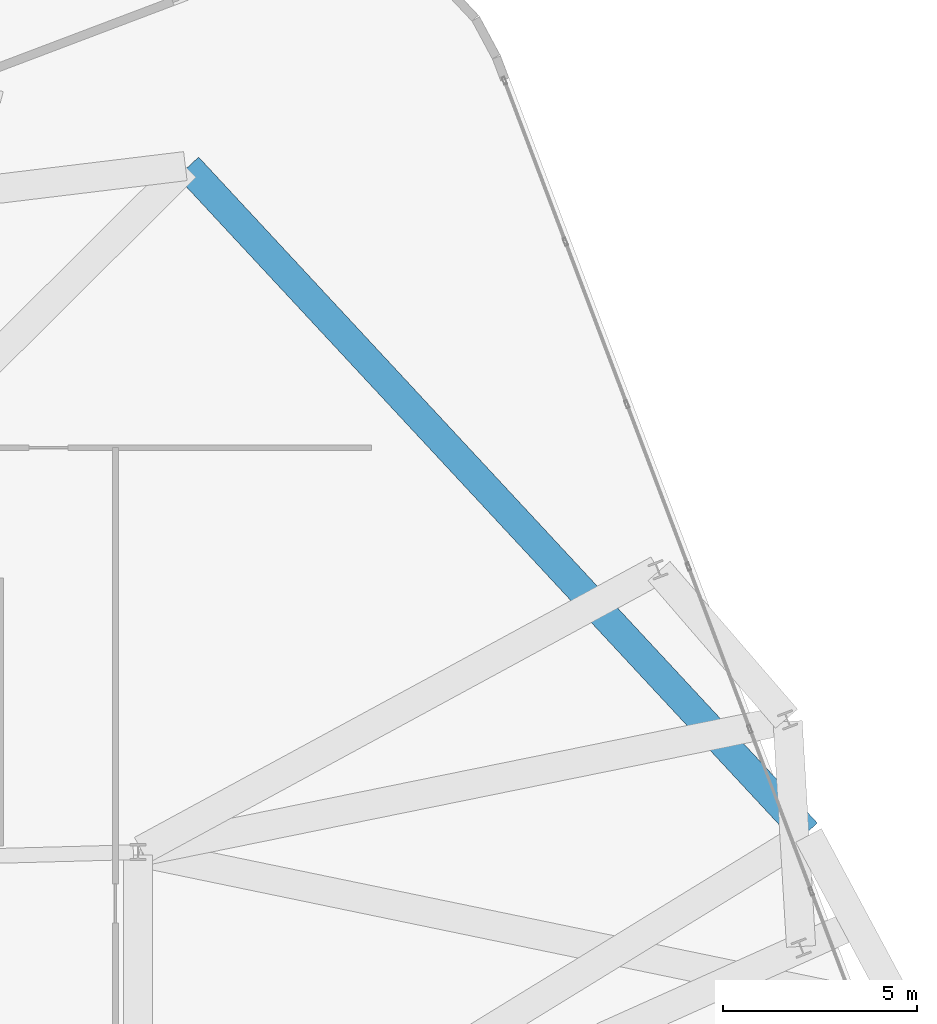
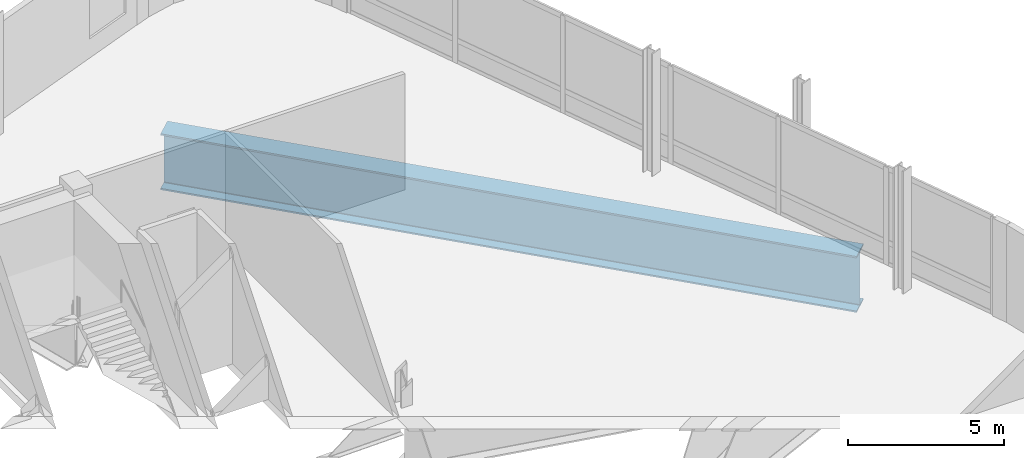
# One storey, part 9 of 19: 1 beam.
"""IFC4 building model written with IfcOpenShell, lengths in metres."""

import ifcopenshell
import ifcopenshell.guid

model = None  # the IFC model being written
_history = None  # IfcOwnerHistory: only IFC2X3 demands one
_inside = {}  # id of a spatial element -> (the spatial element, [elements in it])
_under = {}  # id of a project, library or spatial element -> (it, [spatial elements below it])
_declared = {}  # id of a project -> (the project, [libraries it declares])
_typed = {}  # id of a type object -> (the type object, [elements of that type])
_made_of = {}  # id of a material, layer set ... -> (it, [elements and type objects made of it])


def new_model(schema):
    """Start an empty IFC model of exactly this schema.

    Asked for "IFC4X3", IfcOpenShell would pick the latest addendum, in which some entities
    have other attributes; the version numbers below select the first issue.
    IFC2X3 requires an IfcOwnerHistory on every rooted entity: one is made here for all.
    """
    global model, _history
    if schema == "IFC4X3":
        model = ifcopenshell.file(schema_version=(4, 3, 0, 0))
    else:
        model = ifcopenshell.file(schema=schema)
    _inside.clear()
    _under.clear()
    _declared.clear()
    _typed.clear()
    _made_of.clear()
    _history = None
    if model.schema == "IFC2X3":
        org = make("IfcOrganization", Name="unknown")
        user = make(
            "IfcPersonAndOrganization",
            ThePerson=make("IfcPerson", FamilyName="unknown"),
            TheOrganization=org,
        )
        app = make(
            "IfcApplication",
            ApplicationDeveloper=org,
            Version="unknown",
            ApplicationFullName="unknown",
            ApplicationIdentifier="unknown",
        )
        _history = make(
            "IfcOwnerHistory",
            OwningUser=user,
            OwningApplication=app,
            ChangeAction="ADDED",
            CreationDate=0,
        )
    return model


def make(cls, **values):
    """One entity of the class cls with the attributes given. An attribute that is None is left unset."""
    return model.create_entity(
        cls, **{name: value for name, value in values.items() if value is not None}
    )


def rooted(cls, **values):
    """An entity with a GlobalId (a new one), such as an element, a storey or a relation."""
    return make(cls, GlobalId=ifcopenshell.guid.new(), OwnerHistory=_history, **values)


def si_unit(unit_type, name, prefix=None):
    """IfcSIUnit, for example si_unit("LENGTHUNIT", "METRE", prefix="MILLI")."""
    return make("IfcSIUnit", UnitType=unit_type, Prefix=prefix, Name=name)


def assignment(units):
    """IfcUnitAssignment: the units of a project."""
    return None if units is None else make("IfcUnitAssignment", Units=units)


def point(xyz):
    """IfcCartesianPoint."""
    return None if xyz is None else make("IfcCartesianPoint", Coordinates=xyz)


def direction(xyz):
    """IfcDirection."""
    return None if xyz is None else make("IfcDirection", DirectionRatios=xyz)


def frame(location, z_axis=None, x_axis=None):
    """IfcAxis2Placement3D, a coordinate frame: its origin and axes. An axis left out is left unset."""
    return make(
        "IfcAxis2Placement3D",
        Location=point(location),
        Axis=direction(z_axis),
        RefDirection=direction(x_axis),
    )


def frame_2d(location, x_axis=None):
    """IfcAxis2Placement2D, a coordinate frame in the plane: its origin and x axis."""
    return make(
        "IfcAxis2Placement2D", Location=point(location), RefDirection=direction(x_axis)
    )


def origin():
    """The frame at (0, 0, 0) with its axes left unset."""
    return frame((0.0, 0.0, 0.0))


def origin_2d():
    """The frame at (0, 0) in the plane with its x axis left unset."""
    return frame_2d((0.0, 0.0))


def place(relative_to, where):
    """IfcLocalPlacement: puts the frame where relative to a parent placement (None: the world)."""
    return make(
        "IfcLocalPlacement", PlacementRelTo=relative_to, RelativePlacement=where
    )


def context(
    kind, dimensions, precision=None, world=None, true_north=None, identifier=None
):
    """IfcGeometricRepresentationContext, for example the 3D "Model" context."""
    return make(
        "IfcGeometricRepresentationContext",
        ContextIdentifier=identifier,
        ContextType=kind,
        CoordinateSpaceDimension=dimensions,
        Precision=precision,
        WorldCoordinateSystem=world,
        TrueNorth=true_north,
    )


def subcontext(parent, identifier, kind, view, scale=None):
    """IfcGeometricRepresentationSubContext, for example "Body" below "Model"."""
    return make(
        "IfcGeometricRepresentationSubContext",
        ContextIdentifier=identifier,
        ContextType=kind,
        ParentContext=parent,
        TargetScale=scale,
        TargetView=view,
    )


def project(units=None, contexts=None):
    """IfcProject with its units and contexts."""
    return rooted(
        "IfcProject",
        Name="project",
        RepresentationContexts=contexts,
        UnitsInContext=assignment(units),
    )


def spatial(cls, under=None, at=None, **own):
    """A site, building, storey or space (cls), placed at a placement, below another one or the project."""
    s = rooted(cls, ObjectPlacement=at, **own)
    if under is not None:
        _under.setdefault(under.id(), (under, []))[1].append(s)
    return s


def profile(cls, at=None, kind="AREA", **sizes):
    """A parametric profile (cls). Its sizes go by their IFC names, for example OverallWidth=200.0."""
    return make(cls, ProfileType=kind, Position=at, **sizes)


def i_section(**sizes):
    """IfcIShapeProfileDef."""
    return profile("IfcIShapeProfileDef", **sizes)


def extrude(swept, where, along, depth):
    """IfcExtrudedAreaSolid: the profile swept, set in the frame where, extruded along a direction by depth."""
    return make(
        "IfcExtrudedAreaSolid",
        SweptArea=swept,
        Position=where,
        ExtrudedDirection=direction(along),
        Depth=depth,
    )


def shape(context_of_items, identifier, shape_type, items):
    """IfcShapeRepresentation: the items that make up one representation, for example the "Body"."""
    return make(
        "IfcShapeRepresentation",
        ContextOfItems=context_of_items,
        RepresentationIdentifier=identifier,
        RepresentationType=shape_type,
        Items=items,
    )


def material(Name=None, Category=None):
    """IfcMaterial."""
    return make("IfcMaterial", Name=Name, Category=Category)


def material_profile(
    of_material, cross_section, Name=None, Category=None, Priority=None
):
    """IfcMaterialProfile: a cross section and its material."""
    return make(
        "IfcMaterialProfile",
        Name=Name,
        Material=of_material,
        Profile=cross_section,
        Priority=Priority,
        Category=Category,
    )


def profile_set(profiles, Name=None, composite=None):
    """IfcMaterialProfileSet."""
    return make(
        "IfcMaterialProfileSet",
        Name=Name,
        MaterialProfiles=profiles,
        CompositeProfile=composite,
    )


def made_of(thing, what):
    """Note that an element or type object is made of a material, layer set ...; save() writes the relation."""
    if what is not None:
        _made_of.setdefault(what.id(), (what, []))[1].append(thing)
    return thing


def type_object(cls, material=None, **own):
    """A type object (cls), such as IfcWallType, which elements share."""
    return made_of(rooted(cls, **own), material)


def element(
    cls,
    number,
    at=None,
    inside=None,
    cuts=None,
    type_object=None,
    material=None,
    context=None,
    identifier="Body",
    shape_type=None,
    held_by="IfcProductDefinitionShape",
    body=None,
    shapes=None,
    **own,
):
    """One element of the class cls, such as IfcWall. Its Tag is "e" and its number.

    at: its placement. inside: the storey or other place that contains it. cuts: it is an
    opening in that element (IfcRelVoidsElement). A single representation is given by context,
    identifier, shape_type and body (its items); several are given by shapes. held_by: the class
    of the entity that holds the representations. save() writes the other relations.
    """
    e = rooted(cls, Tag="e%d" % number, ObjectPlacement=at, **own)
    if body is not None:
        shapes = [shape(context, identifier, shape_type, body)]
    if shapes is not None:
        e.Representation = make(held_by, Representations=shapes)
    if inside is not None:
        _inside.setdefault(inside.id(), (inside, []))[1].append(e)
    if cuts is not None:
        rooted(
            "IfcRelVoidsElement", RelatingBuildingElement=cuts, RelatedOpeningElement=e
        )
    if type_object is not None:
        _typed.setdefault(type_object.id(), (type_object, []))[1].append(e)
    return made_of(e, material)


def aggregate(whole, parts):
    """IfcRelAggregates: a whole, such as a stair, and the parts it consists of."""
    return rooted("IfcRelAggregates", RelatingObject=whole, RelatedObjects=parts)


def save(model, path):
    """Write the relations noted so far, then the file.

    IfcRelAggregates (storeys below a building ...), IfcRelContainedInSpatialStructure (elements
    in a storey), IfcRelDefinesByType, IfcRelAssociatesMaterial and IfcRelDeclares: one each for
    every whole, place, type object, material and project.
    """
    for whole, parts in _under.values():
        aggregate(whole, parts)
    for where, things in _inside.values():
        rooted(
            "IfcRelContainedInSpatialStructure",
            RelatedElements=things,
            RelatingStructure=where,
        )
    for kind, things in _typed.values():
        rooted("IfcRelDefinesByType", RelatedObjects=things, RelatingType=kind)
    for what, things in _made_of.values():
        rooted("IfcRelAssociatesMaterial", RelatedObjects=things, RelatingMaterial=what)
    for by, libraries in _declared.values():
        rooted("IfcRelDeclares", RelatingContext=by, RelatedDefinitions=libraries)
    model.write(path)


model = new_model("IFC4")

# Units and contexts
model_context = context("Model", 3, precision=1e-05, world=origin(), true_north=direction((0.0, 1.0)))
body_context = subcontext(model_context, "Body", "Model", "MODEL_VIEW")
ifc_project = project(units=[si_unit("LENGTHUNIT", "METRE"), si_unit("AREAUNIT", "SQUARE_METRE"), si_unit("VOLUMEUNIT", "CUBIC_METRE"), si_unit("PLANEANGLEUNIT", "RADIAN"), si_unit("MASSUNIT", "GRAM", prefix="KILO")], contexts=[model_context])

# Site, building, storey
site_placement = place(None, origin())
site = spatial("IfcSite", under=ifc_project, at=site_placement, CompositionType="ELEMENT")
building_placement = place(site_placement, origin())
building = spatial("IfcBuilding", under=site, at=building_placement, Name="Varnelok Gate Tower", CompositionType="ELEMENT")
storey_placement = place(building_placement, frame((0.0, 0.0, 207.89990234375)))
storey = spatial("IfcBuildingStorey", under=building, at=storey_placement, Name="L53", CompositionType="ELEMENT", Elevation=207.89990234375)

# Beam
ifc_material = material(Name="Structural Steel ASTM A572 Grade 50", Category="steel")
ifc_material_profile = material_profile(ifc_material, i_section(OverallWidth=0.75, OverallDepth=2.199951171875, WebThickness=0.031982421875, FlangeThickness=0.06005859375, FilletRadius=0.028076171875, at=origin_2d()), Name="PG2200X750")
ifc_profile_set = profile_set([ifc_material_profile], Name="Structural Steel ASTM A572 Grade 50")
beam_type = type_object("IfcBeamType", Name="BM-TR-PG2200", PredefinedType="BEAM", material=ifc_profile_set)
beam_placement = place(storey_placement, frame((71.197998046875, 29.4130859375, -1.419921875), z_axis=(-0.680732252901, 0.732532320011, 0.0), x_axis=(-0.732532320011, -0.680732252901, 0.0)))
element("IfcBeam", 1, at=beam_placement, inside=storey, type_object=beam_type, Name="L53 Transfer Support Ring Girder 8", PredefinedType="BEAM", context=body_context, shape_type="SweptSolid", body=[
    extrude(i_section(OverallWidth=0.75, OverallDepth=2.199951171875, WebThickness=0.031982421875, FlangeThickness=0.06005859375, FilletRadius=0.028076171875, at=origin_2d()), origin(), (0.0, 0.0, 1.0), 23.377197265625),
])

save(model, "model.ifc")
